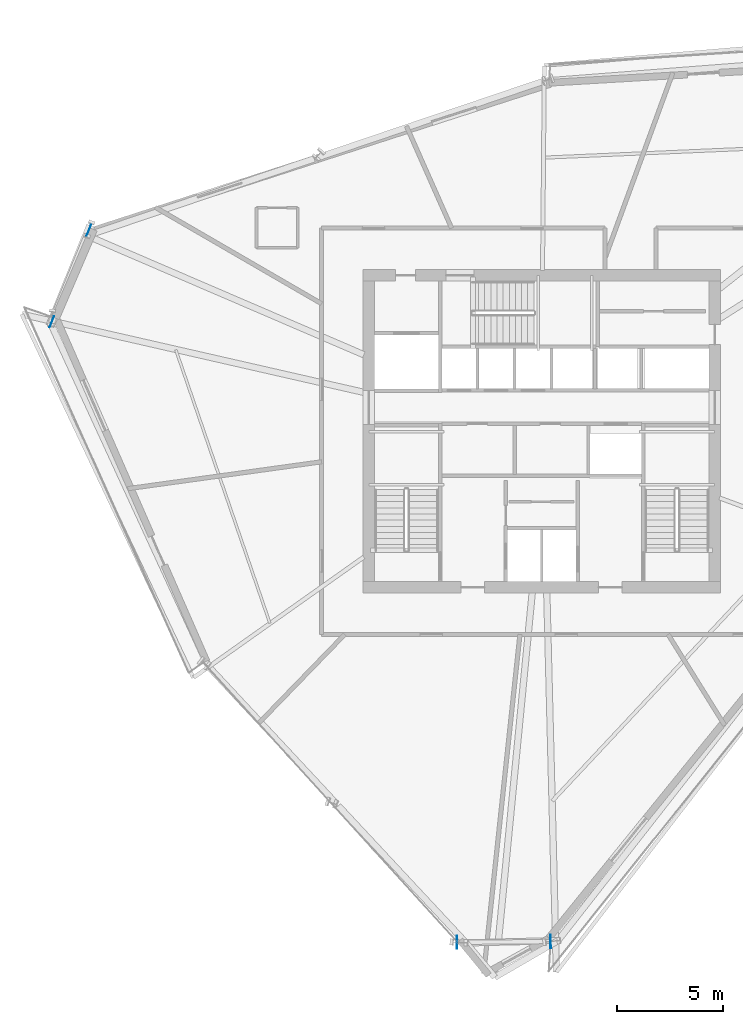
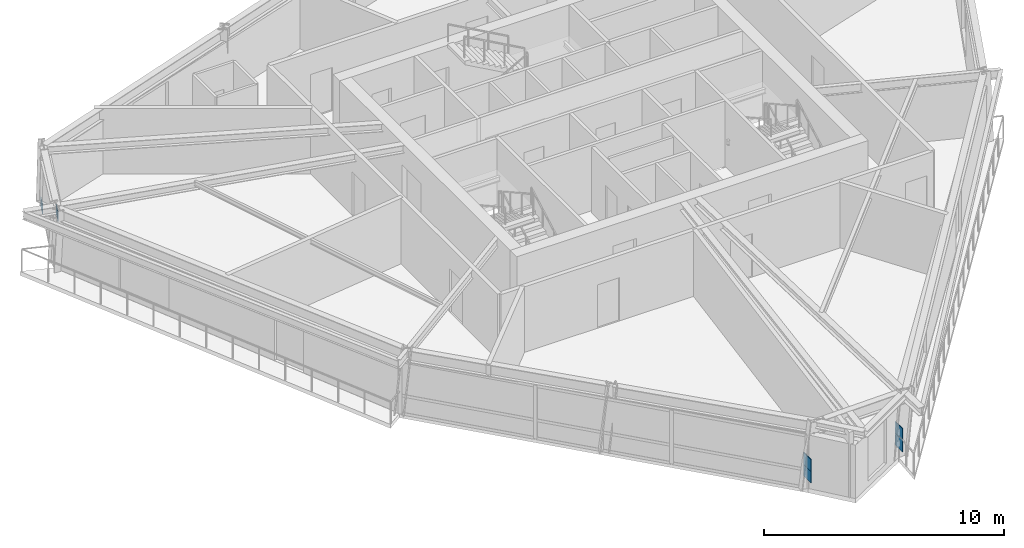
# One storey, part 6 of 13: 6 plates.
"""IFC4 building model written with IfcOpenShell, lengths in metres."""

from ifc_helpers import new_model, si_unit, direction, frame, origin, origin_2d, place, context, subcontext, project, spatial, rectangle, extrude, source, transform, mapped, material, type_object, element, save


model = new_model("IFC4")

# Units and contexts
model_context = context("Model", 3, precision=1e-05, world=origin(), true_north=direction((0.0, 1.0)))
body_context = subcontext(model_context, "Body", "Model", "MODEL_VIEW")
ifc_project = project(units=[si_unit("LENGTHUNIT", "METRE"), si_unit("AREAUNIT", "SQUARE_METRE"), si_unit("VOLUMEUNIT", "CUBIC_METRE"), si_unit("PLANEANGLEUNIT", "RADIAN"), si_unit("MASSUNIT", "GRAM", prefix="KILO")], contexts=[model_context])

# Site, building, storey
site_placement = place(None, origin())
site = spatial("IfcSite", under=ifc_project, at=site_placement, CompositionType="ELEMENT")
building_placement = place(site_placement, origin())
building = spatial("IfcBuilding", under=site, at=building_placement, Name="Olszyna Solenne Hotel", CompositionType="ELEMENT")
storey_placement = place(building_placement, frame((0.0, 0.0, 175.0)))
storey = spatial("IfcBuildingStorey", under=building, at=storey_placement, Name="L46", CompositionType="ELEMENT", Elevation=175.0)

# Plates
ifc_material_1 = material(Name="Steel S460M", Category="steel")
plate_type_1 = type_object("IfcPlateType", Name="GP-CAP2", PredefinedType="USERDEFINED", material=ifc_material_1)
shared_shape_1 = source(origin(), body_context, "Body", "SweptSolid", [
    extrude(rectangle(XDim=0.030029296875, YDim=0.6201171875, at=origin_2d()), origin(), (0.0, 0.0, 1.0), 0.6201171875),
])
for number, where, z_axis, x_axis, name in (
    (1, (34.0029296875, 2.44921875, 1.0400390625), (0.0, 0.0, 1.0), (0.999961923064, 0.008726535498, 0.0), "Hollow section end-cap plate GP-CAP2 CP-PR-M-L46-PR1-1"),
    (2, (38.426025390625, 2.48779296875, 1.0400390625), (0.0, 0.0, 1.0), (0.999961923064, 0.008726535498, 0.0), "Hollow section end-cap plate GP-CAP2 CP-PR-M-L46-PR1-2"),
    (3, (34.0029296875, 2.44921875, 0.469970703125), (0.0, 0.0, 1.0), (0.999961923064, 0.008726535498, 0.0), "Hollow section end-cap plate GP-CAP2 CP-PR-M-L46-PR2-1"),
    (4, (38.426025390625, 2.48779296875, 0.469970703125), (0.0, 0.0, 1.0), (0.999961923064, 0.008726535498, 0.0), "Hollow section end-cap plate GP-CAP2 CP-PR-M-L46-PR2-2"),
):
    element("IfcPlate", number, at=place(storey_placement, frame(where, z_axis=z_axis, x_axis=x_axis)), inside=storey, type_object=plate_type_1, Name=name, ObjectType="GUSSET_PLATE", PredefinedType="USERDEFINED", context=body_context, shape_type="MappedRepresentation", body=[
        mapped(shared_shape_1, transform((0.0, 0.0, 0.0), x_axis=(1.0, 0.0, 0.0), y_axis=(0.0, 1.0, 0.0), z_axis=(0.0, 0.0, 1.0), scale=1.0)),
    ])
ifc_material_2 = material(Name="Steel S355J2", Category="steel")
plate_type_2 = type_object("IfcPlateType", Name="GP-ND2", PredefinedType="USERDEFINED", material=ifc_material_2)
shared_shape_2 = source(origin(), body_context, "Body", "SweptSolid", [
    extrude(rectangle(XDim=0.56005859375, YDim=0.02001953125, at=origin_2d()), origin(), (0.0, 0.0, 1.0), 0.47998046875),
])
for number, where, z_axis, x_axis, name in (
    (5, (16.6025390625, 36.100341796875, -0.156982421875), (0.0, 0.0, 1.0), (-0.375253798515, -0.926922103901, 0.0), "Brace end connection gusset plate GP-ND2 EP-BR-L46-2-1"),
    (6, (14.854736328125, 31.78271484375, 2.68701171875), (0.0, 0.0, 1.0), (-0.375253798515, -0.926922103901, 0.0), "Brace end connection gusset plate GP-ND2 EP-BR-L46-2-2"),
):
    element("IfcPlate", number, at=place(storey_placement, frame(where, z_axis=z_axis, x_axis=x_axis)), inside=storey, type_object=plate_type_2, Name=name, ObjectType="GUSSET_PLATE", PredefinedType="USERDEFINED", context=body_context, shape_type="MappedRepresentation", body=[
        mapped(shared_shape_2, transform((0.0, 0.0, 0.0), x_axis=(1.0, 0.0, 0.0), y_axis=(0.0, 1.0, 0.0), z_axis=(0.0, 0.0, 1.0), scale=1.0)),
    ])

save(model, "model.ifc")
